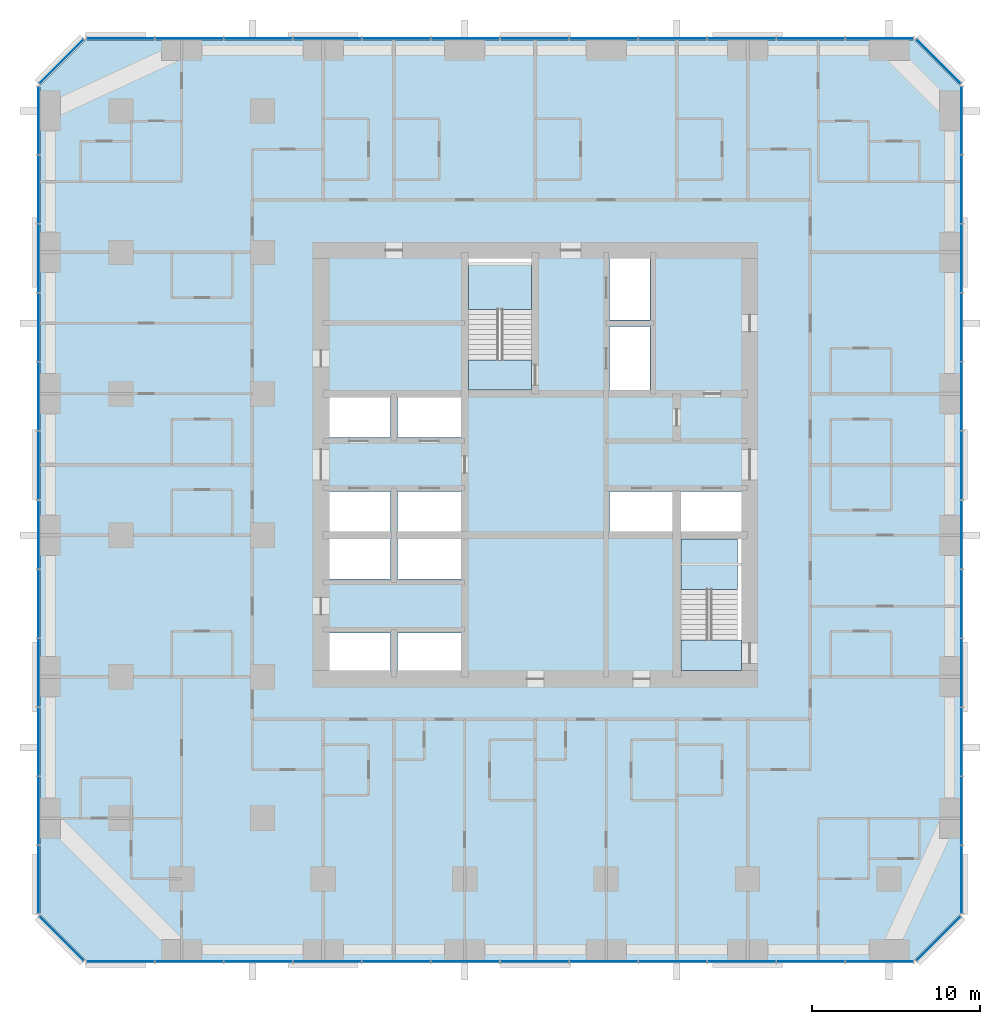
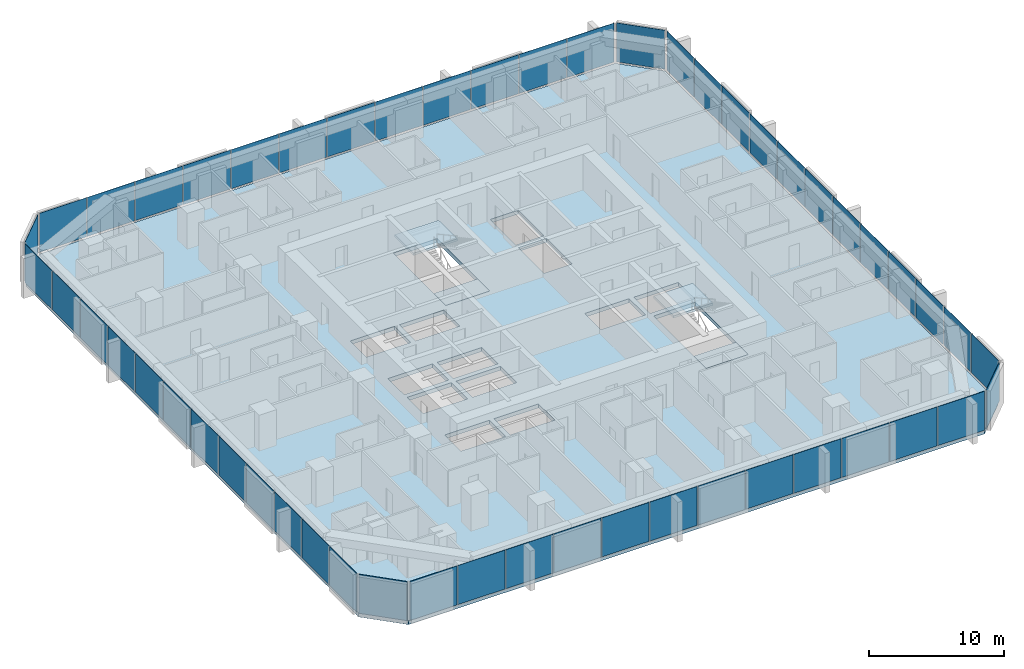
# One storey, part 7 of 14: 52 plates, 5 slabs, 10 elements without a shape of their own.
"""IFC4 building model written with IfcOpenShell, lengths in metres."""

from ifc_helpers import new_model, si_unit, direction, frame, origin, origin_2d, place, context, subcontext, project, spatial, polyline, rectangle, outline, extrude, material, layer, layer_set, type_object, element, aggregate, save


model = new_model("IFC4")

# Units and contexts
model_context = context("Model", 3, precision=1e-05, world=origin(), true_north=direction((0.0, 1.0)))
body_context = subcontext(model_context, "Body", "Model", "MODEL_VIEW")
ifc_project = project(units=[si_unit("LENGTHUNIT", "METRE"), si_unit("AREAUNIT", "SQUARE_METRE"), si_unit("VOLUMEUNIT", "CUBIC_METRE"), si_unit("PLANEANGLEUNIT", "RADIAN"), si_unit("MASSUNIT", "GRAM", prefix="KILO")], contexts=[model_context])

# Site, building, storey
site_placement = place(None, origin())
site = spatial("IfcSite", under=ifc_project, at=site_placement, CompositionType="ELEMENT")
building_placement = place(site_placement, origin())
building = spatial("IfcBuilding", under=site, at=building_placement, Name="Dunama Terrace Hotel", CompositionType="ELEMENT")
storey_placement = place(building_placement, frame((0.0, 0.0, 136.800048828125)))
storey = spatial("IfcBuildingStorey", under=building, at=storey_placement, Name="L35", CompositionType="ELEMENT", Elevation=136.800048828125)

# Curtain wall, plates
ifc_material_1 = material(Name="Aluminium curtain wall system", Category="aluminium")
curtain_wall_type = type_object("IfcCurtainWallType", Name="Unitised fritted glass wall CW-B", PredefinedType="NOTDEFINED", material=ifc_material_1)
curtain_wall_1_placement = place(storey_placement, origin())
curtain_wall_1 = element("IfcCurtainWall", 1, at=curtain_wall_1_placement, inside=storey, type_object=curtain_wall_type, Name="Unitised fritted glass wall CW-B L35", PredefinedType="NOTDEFINED")
ifc_material_2 = material(Name="Laminated glass", Category="glass")
ifc_layer_1 = layer(ifc_material_2, 0.030029296875)
ifc_layer_set_1 = layer_set([ifc_layer_1], Name="CWB clear glass panel")
plate_type_1 = type_object("IfcPlateType", Name="CWB clear glass panel", PredefinedType="CURTAIN_PANEL", material=ifc_layer_set_1)
plate_1_placement = place(storey_placement, frame((8.85009765625, -0.110107421875, 0.079833984375), z_axis=(0.0, 0.0, 1.0), x_axis=(1.0, 0.0, 0.0)))
plate_1 = element("IfcPlate", 2, at=plate_1_placement, type_object=plate_type_1, Name="CWB clear glass panel", PredefinedType="CURTAIN_PANEL", context=body_context, shape_type="SweptSolid", body=[
    extrude(rectangle(XDim=4.034912109375, YDim=0.030029296875, at=origin_2d()), origin(), (0.0, 0.0, 1.0), 3.52001953125),
])
plate_2_placement = place(storey_placement, frame((21.14990234375, -0.110107421875, 0.079833984375), z_axis=(0.0, 0.0, 1.0), x_axis=(1.0, 0.0, 0.0)))
plate_2 = element("IfcPlate", 3, at=plate_2_placement, type_object=plate_type_1, Name="CWB clear glass panel", PredefinedType="CURTAIN_PANEL", context=body_context, shape_type="SweptSolid", body=[
    extrude(rectangle(XDim=4.034912109375, YDim=0.030029296875, at=origin_2d()), origin(), (0.0, 0.0, 1.0), 3.52001953125),
])
plate_3_placement = place(storey_placement, frame((33.449951171875, -0.110107421875, 0.079833984375), z_axis=(0.0, 0.0, 1.0), x_axis=(1.0, 0.0, 0.0)))
plate_3 = element("IfcPlate", 4, at=plate_3_placement, type_object=plate_type_1, Name="CWB clear glass panel", PredefinedType="CURTAIN_PANEL", context=body_context, shape_type="SweptSolid", body=[
    extrude(rectangle(XDim=4.034912109375, YDim=0.030029296875, at=origin_2d()), origin(), (0.0, 0.0, 1.0), 3.52001953125),
])
plate_4_placement = place(storey_placement, frame((45.75, -0.110107421875, 0.079833984375), z_axis=(0.0, 0.0, 1.0), x_axis=(1.0, 0.0, 0.0)))
plate_4 = element("IfcPlate", 5, at=plate_4_placement, type_object=plate_type_1, Name="CWB clear glass panel", PredefinedType="CURTAIN_PANEL", context=body_context, shape_type="SweptSolid", body=[
    extrude(rectangle(XDim=4.034912109375, YDim=0.030029296875, at=origin_2d()), origin(), (0.0, 0.0, 1.0), 3.52001953125),
])

curtain_wall_2_placement = place(storey_placement, origin())
curtain_wall_2 = element("IfcCurtainWall", 6, at=curtain_wall_2_placement, inside=storey, type_object=curtain_wall_type, Name="Unitised fritted glass wall CW-B L35", PredefinedType="NOTDEFINED")
plate_5_placement = place(storey_placement, frame((54.7099609375, 4.76611328125, 0.079833984375), z_axis=(0.0, 0.0, 1.0), x_axis=(0.0, 1.0, 0.0)))
plate_5 = element("IfcPlate", 7, at=plate_5_placement, type_object=plate_type_1, Name="CWB clear glass panel", PredefinedType="CURTAIN_PANEL", context=body_context, shape_type="SweptSolid", body=[
    extrude(rectangle(XDim=4.00244140625, YDim=0.030029296875, at=origin_2d()), origin(), (0.0, 0.0, 1.0), 3.52001953125),
])
plate_6_placement = place(storey_placement, frame((54.7099609375, 17.050048828125, 0.079833984375), z_axis=(0.0, 0.0, 1.0), x_axis=(0.0, 1.0, 0.0)))
plate_6 = element("IfcPlate", 8, at=plate_6_placement, type_object=plate_type_1, Name="CWB clear glass panel", PredefinedType="CURTAIN_PANEL", context=body_context, shape_type="SweptSolid", body=[
    extrude(rectangle(XDim=4.034912109375, YDim=0.030029296875, at=origin_2d()), origin(), (0.0, 0.0, 1.0), 3.52001953125),
])
plate_7_placement = place(storey_placement, frame((54.7099609375, 29.35009765625, 0.079833984375), z_axis=(0.0, 0.0, 1.0), x_axis=(0.0, 1.0, 0.0)))
plate_7 = element("IfcPlate", 9, at=plate_7_placement, type_object=plate_type_1, Name="CWB clear glass panel", PredefinedType="CURTAIN_PANEL", context=body_context, shape_type="SweptSolid", body=[
    extrude(rectangle(XDim=4.034912109375, YDim=0.030029296875, at=origin_2d()), origin(), (0.0, 0.0, 1.0), 3.52001953125),
])
plate_8_placement = place(storey_placement, frame((54.7099609375, 41.64990234375, 0.079833984375), z_axis=(0.0, 0.0, 1.0), x_axis=(0.0, 1.0, 0.0)))
plate_8 = element("IfcPlate", 10, at=plate_8_placement, type_object=plate_type_1, Name="CWB clear glass panel", PredefinedType="CURTAIN_PANEL", context=body_context, shape_type="SweptSolid", body=[
    extrude(rectangle(XDim=4.034912109375, YDim=0.030029296875, at=origin_2d()), origin(), (0.0, 0.0, 1.0), 3.52001953125),
])

# Curtain wall, plate
curtain_wall_3_placement = place(storey_placement, origin())
curtain_wall_3 = element("IfcCurtainWall", 11, at=curtain_wall_3_placement, inside=storey, type_object=curtain_wall_type, Name="Unitised fritted glass wall CW-B L35", PredefinedType="NOTDEFINED")
plate_9_placement = place(storey_placement, frame((53.327880859375, 53.327880859375, 0.079833984375), z_axis=(0.0, 0.0, 1.0), x_axis=(-0.707106781187, 0.707106781187, 0.0)))
plate_9 = element("IfcPlate", 12, at=plate_9_placement, type_object=plate_type_1, Name="CWB clear glass panel", PredefinedType="CURTAIN_PANEL", context=body_context, shape_type="SweptSolid", body=[
    extrude(rectangle(XDim=3.6884765625, YDim=0.030029296875, at=origin_2d()), origin(), (0.0, 0.0, 1.0), 3.52001953125),
])
aggregate(curtain_wall_3, [plate_9])

# Curtain wall, plates
curtain_wall_4_placement = place(storey_placement, origin())
curtain_wall_4 = element("IfcCurtainWall", 13, at=curtain_wall_4_placement, inside=storey, type_object=curtain_wall_type, Name="Unitised fritted glass wall CW-B L35", PredefinedType="NOTDEFINED")
plate_10_placement = place(storey_placement, frame((41.64990234375, 54.7099609375, 0.079833984375), z_axis=(0.0, 0.0, 1.0), x_axis=(-1.0, 0.0, 0.0)))
plate_10 = element("IfcPlate", 14, at=plate_10_placement, type_object=plate_type_1, Name="CWB clear glass panel", PredefinedType="CURTAIN_PANEL", context=body_context, shape_type="SweptSolid", body=[
    extrude(rectangle(XDim=4.034912109375, YDim=0.030029296875, at=origin_2d()), origin(), (0.0, 0.0, 1.0), 3.52001953125),
])
plate_11_placement = place(storey_placement, frame((29.35009765625, 54.7099609375, 0.079833984375), z_axis=(0.0, 0.0, 1.0), x_axis=(-1.0, 0.0, 0.0)))
plate_11 = element("IfcPlate", 15, at=plate_11_placement, type_object=plate_type_1, Name="CWB clear glass panel", PredefinedType="CURTAIN_PANEL", context=body_context, shape_type="SweptSolid", body=[
    extrude(rectangle(XDim=4.034912109375, YDim=0.030029296875, at=origin_2d()), origin(), (0.0, 0.0, 1.0), 3.52001953125),
])
plate_12_placement = place(storey_placement, frame((17.050048828125, 54.7099609375, 0.079833984375), z_axis=(0.0, 0.0, 1.0), x_axis=(-1.0, 0.0, 0.0)))
plate_12 = element("IfcPlate", 16, at=plate_12_placement, type_object=plate_type_1, Name="CWB clear glass panel", PredefinedType="CURTAIN_PANEL", context=body_context, shape_type="SweptSolid", body=[
    extrude(rectangle(XDim=4.034912109375, YDim=0.030029296875, at=origin_2d()), origin(), (0.0, 0.0, 1.0), 3.52001953125),
])
plate_13_placement = place(storey_placement, frame((4.76611328125, 54.7099609375, 0.079833984375), z_axis=(0.0, 0.0, 1.0), x_axis=(-1.0, 0.0, 0.0)))
plate_13 = element("IfcPlate", 17, at=plate_13_placement, type_object=plate_type_1, Name="CWB clear glass panel", PredefinedType="CURTAIN_PANEL", context=body_context, shape_type="SweptSolid", body=[
    extrude(rectangle(XDim=4.00244140625, YDim=0.030029296875, at=origin_2d()), origin(), (0.0, 0.0, 1.0), 3.52001953125),
])

curtain_wall_5_placement = place(storey_placement, origin())
curtain_wall_5 = element("IfcCurtainWall", 18, at=curtain_wall_5_placement, inside=storey, type_object=curtain_wall_type, Name="Unitised fritted glass wall CW-B L35", PredefinedType="NOTDEFINED")
plate_14_placement = place(storey_placement, frame((-0.110107421875, 45.75, 0.079833984375), z_axis=(0.0, 0.0, 1.0), x_axis=(0.0, -1.0, 0.0)))
plate_14 = element("IfcPlate", 19, at=plate_14_placement, type_object=plate_type_1, Name="CWB clear glass panel", PredefinedType="CURTAIN_PANEL", context=body_context, shape_type="SweptSolid", body=[
    extrude(rectangle(XDim=4.034912109375, YDim=0.030029296875, at=origin_2d()), origin(), (0.0, 0.0, 1.0), 3.52001953125),
])
plate_15_placement = place(storey_placement, frame((-0.110107421875, 33.449951171875, 0.079833984375), z_axis=(0.0, 0.0, 1.0), x_axis=(0.0, -1.0, 0.0)))
plate_15 = element("IfcPlate", 20, at=plate_15_placement, type_object=plate_type_1, Name="CWB clear glass panel", PredefinedType="CURTAIN_PANEL", context=body_context, shape_type="SweptSolid", body=[
    extrude(rectangle(XDim=4.034912109375, YDim=0.030029296875, at=origin_2d()), origin(), (0.0, 0.0, 1.0), 3.52001953125),
])
plate_16_placement = place(storey_placement, frame((-0.110107421875, 21.14990234375, 0.079833984375), z_axis=(0.0, 0.0, 1.0), x_axis=(0.0, -1.0, 0.0)))
plate_16 = element("IfcPlate", 21, at=plate_16_placement, type_object=plate_type_1, Name="CWB clear glass panel", PredefinedType="CURTAIN_PANEL", context=body_context, shape_type="SweptSolid", body=[
    extrude(rectangle(XDim=4.034912109375, YDim=0.030029296875, at=origin_2d()), origin(), (0.0, 0.0, 1.0), 3.52001953125),
])
plate_17_placement = place(storey_placement, frame((-0.110107421875, 8.85009765625, 0.079833984375), z_axis=(0.0, 0.0, 1.0), x_axis=(0.0, -1.0, 0.0)))
plate_17 = element("IfcPlate", 22, at=plate_17_placement, type_object=plate_type_1, Name="CWB clear glass panel", PredefinedType="CURTAIN_PANEL", context=body_context, shape_type="SweptSolid", body=[
    extrude(rectangle(XDim=4.034912109375, YDim=0.030029296875, at=origin_2d()), origin(), (0.0, 0.0, 1.0), 3.52001953125),
])

# Plate
ifc_material_3 = material(Name="Fritted laminated glass", Category="glass")
ifc_layer_2 = layer(ifc_material_3, 0.030029296875)
ifc_layer_set_2 = layer_set([ifc_layer_2], Name="CWB fritted glass panel")
plate_type_2 = type_object("IfcPlateType", Name="CWB fritted glass panel", PredefinedType="CURTAIN_PANEL", material=ifc_layer_set_2)
plate_18_placement = place(storey_placement, frame((4.76611328125, -0.110107421875, 0.079833984375), z_axis=(0.0, 0.0, 1.0), x_axis=(1.0, 0.0, 0.0)))
plate_18 = element("IfcPlate", 23, at=plate_18_placement, type_object=plate_type_2, Name="CWB fritted glass panel", PredefinedType="CURTAIN_PANEL", context=body_context, shape_type="SweptSolid", body=[
    extrude(rectangle(XDim=4.00244140625, YDim=0.030029296875, at=origin_2d()), origin(), (0.0, 0.0, 1.0), 3.52001953125),
])

plate_19_placement = place(storey_placement, frame((17.050048828125, -0.110107421875, 0.079833984375), z_axis=(0.0, 0.0, 1.0), x_axis=(1.0, 0.0, 0.0)))
plate_19 = element("IfcPlate", 24, at=plate_19_placement, type_object=plate_type_2, Name="CWB fritted glass panel", PredefinedType="CURTAIN_PANEL", context=body_context, shape_type="SweptSolid", body=[
    extrude(rectangle(XDim=4.034912109375, YDim=0.030029296875, at=origin_2d()), origin(), (0.0, 0.0, 1.0), 3.52001953125),
])

plate_20_placement = place(storey_placement, frame((29.35009765625, -0.110107421875, 0.079833984375), z_axis=(0.0, 0.0, 1.0), x_axis=(1.0, 0.0, 0.0)))
plate_20 = element("IfcPlate", 25, at=plate_20_placement, type_object=plate_type_2, Name="CWB fritted glass panel", PredefinedType="CURTAIN_PANEL", context=body_context, shape_type="SweptSolid", body=[
    extrude(rectangle(XDim=4.034912109375, YDim=0.030029296875, at=origin_2d()), origin(), (0.0, 0.0, 1.0), 3.52001953125),
])

plate_21_placement = place(storey_placement, frame((41.64990234375, -0.110107421875, 0.079833984375), z_axis=(0.0, 0.0, 1.0), x_axis=(1.0, 0.0, 0.0)))
plate_21 = element("IfcPlate", 26, at=plate_21_placement, type_object=plate_type_2, Name="CWB fritted glass panel", PredefinedType="CURTAIN_PANEL", context=body_context, shape_type="SweptSolid", body=[
    extrude(rectangle(XDim=4.034912109375, YDim=0.030029296875, at=origin_2d()), origin(), (0.0, 0.0, 1.0), 3.52001953125),
])

# Curtain wall, plate
curtain_wall_6_placement = place(storey_placement, origin())
curtain_wall_6 = element("IfcCurtainWall", 27, at=curtain_wall_6_placement, inside=storey, type_object=curtain_wall_type, Name="Unitised fritted glass wall CW-B L35", PredefinedType="NOTDEFINED")
plate_22_placement = place(storey_placement, frame((53.327880859375, 1.27197265625, 0.079833984375), z_axis=(0.0, 0.0, 1.0), x_axis=(0.707106781187, 0.707106781187, 0.0)))
plate_22 = element("IfcPlate", 28, at=plate_22_placement, type_object=plate_type_2, Name="CWB fritted glass panel", PredefinedType="CURTAIN_PANEL", context=body_context, shape_type="SweptSolid", body=[
    extrude(rectangle(XDim=3.6884765625, YDim=0.030029296875, at=origin_2d()), origin(), (0.0, 0.0, 1.0), 3.52001953125),
])
aggregate(curtain_wall_6, [plate_22])

# Plate
plate_23_placement = place(storey_placement, frame((54.7099609375, 12.949951171875, 0.079833984375), z_axis=(0.0, 0.0, 1.0), x_axis=(0.0, 1.0, 0.0)))
plate_23 = element("IfcPlate", 29, at=plate_23_placement, type_object=plate_type_2, Name="CWB fritted glass panel", PredefinedType="CURTAIN_PANEL", context=body_context, shape_type="SweptSolid", body=[
    extrude(rectangle(XDim=4.034912109375, YDim=0.030029296875, at=origin_2d()), origin(), (0.0, 0.0, 1.0), 3.52001953125),
])

plate_24_placement = place(storey_placement, frame((54.7099609375, 25.25, 0.079833984375), z_axis=(0.0, 0.0, 1.0), x_axis=(0.0, 1.0, 0.0)))
plate_24 = element("IfcPlate", 30, at=plate_24_placement, type_object=plate_type_2, Name="CWB fritted glass panel", PredefinedType="CURTAIN_PANEL", context=body_context, shape_type="SweptSolid", body=[
    extrude(rectangle(XDim=4.034912109375, YDim=0.030029296875, at=origin_2d()), origin(), (0.0, 0.0, 1.0), 3.52001953125),
])

plate_25_placement = place(storey_placement, frame((54.7099609375, 37.550048828125, 0.079833984375), z_axis=(0.0, 0.0, 1.0), x_axis=(0.0, 1.0, 0.0)))
plate_25 = element("IfcPlate", 31, at=plate_25_placement, type_object=plate_type_2, Name="CWB fritted glass panel", PredefinedType="CURTAIN_PANEL", context=body_context, shape_type="SweptSolid", body=[
    extrude(rectangle(XDim=4.034912109375, YDim=0.030029296875, at=origin_2d()), origin(), (0.0, 0.0, 1.0), 3.52001953125),
])

plate_26_placement = place(storey_placement, frame((54.7099609375, 49.833984375, 0.079833984375), z_axis=(0.0, 0.0, 1.0), x_axis=(0.0, 1.0, 0.0)))
plate_26 = element("IfcPlate", 32, at=plate_26_placement, type_object=plate_type_2, Name="CWB fritted glass panel", PredefinedType="CURTAIN_PANEL", context=body_context, shape_type="SweptSolid", body=[
    extrude(rectangle(XDim=4.00244140625, YDim=0.030029296875, at=origin_2d()), origin(), (0.0, 0.0, 1.0), 3.52001953125),
])

plate_27_placement = place(storey_placement, frame((45.75, 54.7099609375, 0.079833984375), z_axis=(0.0, 0.0, 1.0), x_axis=(-1.0, 0.0, 0.0)))
plate_27 = element("IfcPlate", 33, at=plate_27_placement, type_object=plate_type_2, Name="CWB fritted glass panel", PredefinedType="CURTAIN_PANEL", context=body_context, shape_type="SweptSolid", body=[
    extrude(rectangle(XDim=4.034912109375, YDim=0.030029296875, at=origin_2d()), origin(), (0.0, 0.0, 1.0), 3.52001953125),
])

plate_28_placement = place(storey_placement, frame((33.449951171875, 54.7099609375, 0.079833984375), z_axis=(0.0, 0.0, 1.0), x_axis=(-1.0, 0.0, 0.0)))
plate_28 = element("IfcPlate", 34, at=plate_28_placement, type_object=plate_type_2, Name="CWB fritted glass panel", PredefinedType="CURTAIN_PANEL", context=body_context, shape_type="SweptSolid", body=[
    extrude(rectangle(XDim=4.034912109375, YDim=0.030029296875, at=origin_2d()), origin(), (0.0, 0.0, 1.0), 3.52001953125),
])

plate_29_placement = place(storey_placement, frame((21.14990234375, 54.7099609375, 0.079833984375), z_axis=(0.0, 0.0, 1.0), x_axis=(-1.0, 0.0, 0.0)))
plate_29 = element("IfcPlate", 35, at=plate_29_placement, type_object=plate_type_2, Name="CWB fritted glass panel", PredefinedType="CURTAIN_PANEL", context=body_context, shape_type="SweptSolid", body=[
    extrude(rectangle(XDim=4.034912109375, YDim=0.030029296875, at=origin_2d()), origin(), (0.0, 0.0, 1.0), 3.52001953125),
])

plate_30_placement = place(storey_placement, frame((8.85009765625, 54.7099609375, 0.079833984375), z_axis=(0.0, 0.0, 1.0), x_axis=(-1.0, 0.0, 0.0)))
plate_30 = element("IfcPlate", 36, at=plate_30_placement, type_object=plate_type_2, Name="CWB fritted glass panel", PredefinedType="CURTAIN_PANEL", context=body_context, shape_type="SweptSolid", body=[
    extrude(rectangle(XDim=4.034912109375, YDim=0.030029296875, at=origin_2d()), origin(), (0.0, 0.0, 1.0), 3.52001953125),
])

plate_31_placement = place(storey_placement, frame((-0.110107421875, 49.833984375, 0.079833984375), z_axis=(0.0, 0.0, 1.0), x_axis=(0.0, -1.0, 0.0)))
plate_31 = element("IfcPlate", 37, at=plate_31_placement, type_object=plate_type_2, Name="CWB fritted glass panel", PredefinedType="CURTAIN_PANEL", context=body_context, shape_type="SweptSolid", body=[
    extrude(rectangle(XDim=4.00244140625, YDim=0.030029296875, at=origin_2d()), origin(), (0.0, 0.0, 1.0), 3.52001953125),
])

plate_32_placement = place(storey_placement, frame((-0.110107421875, 37.550048828125, 0.079833984375), z_axis=(0.0, 0.0, 1.0), x_axis=(0.0, -1.0, 0.0)))
plate_32 = element("IfcPlate", 38, at=plate_32_placement, type_object=plate_type_2, Name="CWB fritted glass panel", PredefinedType="CURTAIN_PANEL", context=body_context, shape_type="SweptSolid", body=[
    extrude(rectangle(XDim=4.034912109375, YDim=0.030029296875, at=origin_2d()), origin(), (0.0, 0.0, 1.0), 3.52001953125),
])

plate_33_placement = place(storey_placement, frame((-0.110107421875, 25.25, 0.079833984375), z_axis=(0.0, 0.0, 1.0), x_axis=(0.0, -1.0, 0.0)))
plate_33 = element("IfcPlate", 39, at=plate_33_placement, type_object=plate_type_2, Name="CWB fritted glass panel", PredefinedType="CURTAIN_PANEL", context=body_context, shape_type="SweptSolid", body=[
    extrude(rectangle(XDim=4.034912109375, YDim=0.030029296875, at=origin_2d()), origin(), (0.0, 0.0, 1.0), 3.52001953125),
])

plate_34_placement = place(storey_placement, frame((-0.110107421875, 12.949951171875, 0.079833984375), z_axis=(0.0, 0.0, 1.0), x_axis=(0.0, -1.0, 0.0)))
plate_34 = element("IfcPlate", 40, at=plate_34_placement, type_object=plate_type_2, Name="CWB fritted glass panel", PredefinedType="CURTAIN_PANEL", context=body_context, shape_type="SweptSolid", body=[
    extrude(rectangle(XDim=4.034912109375, YDim=0.030029296875, at=origin_2d()), origin(), (0.0, 0.0, 1.0), 3.52001953125),
])

# Curtain wall, plate
curtain_wall_7_placement = place(storey_placement, origin())
curtain_wall_7 = element("IfcCurtainWall", 41, at=curtain_wall_7_placement, inside=storey, type_object=curtain_wall_type, Name="Unitised fritted glass wall CW-B L35", PredefinedType="NOTDEFINED")
plate_35_placement = place(storey_placement, frame((1.27197265625, 1.27197265625, 0.079833984375), z_axis=(0.0, 0.0, 1.0), x_axis=(0.707106781187, -0.707106781187, 0.0)))
plate_35 = element("IfcPlate", 42, at=plate_35_placement, type_object=plate_type_2, Name="CWB fritted glass panel", PredefinedType="CURTAIN_PANEL", context=body_context, shape_type="SweptSolid", body=[
    extrude(rectangle(XDim=3.6884765625, YDim=0.030029296875, at=origin_2d()), origin(), (0.0, 0.0, 1.0), 3.52001953125),
])
aggregate(curtain_wall_7, [plate_35])

# Plate
ifc_material_4 = material(Name="Laminated glass", Category="glass")
ifc_layer_3 = layer(ifc_material_4, 0.030029296875)
ifc_layer_set_3 = layer_set([ifc_layer_3], Name="CWB operable glass panel")
plate_type_3 = type_object("IfcPlateType", Name="CWB operable glass panel", PredefinedType="CURTAIN_PANEL", material=ifc_layer_set_3)
plate_36_placement = place(storey_placement, frame((12.949951171875, -0.110107421875, 0.079833984375), z_axis=(0.0, 0.0, 1.0), x_axis=(1.0, 0.0, 0.0)))
plate_36 = element("IfcPlate", 43, at=plate_36_placement, type_object=plate_type_3, Name="CWB operable glass panel", PredefinedType="CURTAIN_PANEL", context=body_context, shape_type="SweptSolid", body=[
    extrude(rectangle(XDim=4.034912109375, YDim=0.030029296875, at=origin_2d()), origin(), (0.0, 0.0, 1.0), 3.52001953125),
])

plate_37_placement = place(storey_placement, frame((25.25, -0.110107421875, 0.079833984375), z_axis=(0.0, 0.0, 1.0), x_axis=(1.0, 0.0, 0.0)))
plate_37 = element("IfcPlate", 44, at=plate_37_placement, type_object=plate_type_3, Name="CWB operable glass panel", PredefinedType="CURTAIN_PANEL", context=body_context, shape_type="SweptSolid", body=[
    extrude(rectangle(XDim=4.034912109375, YDim=0.030029296875, at=origin_2d()), origin(), (0.0, 0.0, 1.0), 3.52001953125),
])

plate_38_placement = place(storey_placement, frame((37.550048828125, -0.110107421875, 0.079833984375), z_axis=(0.0, 0.0, 1.0), x_axis=(1.0, 0.0, 0.0)))
plate_38 = element("IfcPlate", 45, at=plate_38_placement, type_object=plate_type_3, Name="CWB operable glass panel", PredefinedType="CURTAIN_PANEL", context=body_context, shape_type="SweptSolid", body=[
    extrude(rectangle(XDim=4.034912109375, YDim=0.030029296875, at=origin_2d()), origin(), (0.0, 0.0, 1.0), 3.52001953125),
])

plate_39_placement = place(storey_placement, frame((49.833984375, -0.110107421875, 0.079833984375), z_axis=(0.0, 0.0, 1.0), x_axis=(1.0, 0.0, 0.0)))
plate_39 = element("IfcPlate", 46, at=plate_39_placement, type_object=plate_type_3, Name="CWB operable glass panel", PredefinedType="CURTAIN_PANEL", context=body_context, shape_type="SweptSolid", body=[
    extrude(rectangle(XDim=4.00244140625, YDim=0.030029296875, at=origin_2d()), origin(), (0.0, 0.0, 1.0), 3.52001953125),
])

aggregate(curtain_wall_1, [plate_18, plate_1, plate_36, plate_19, plate_2, plate_37, plate_20, plate_3, plate_38, plate_21, plate_4, plate_39])

plate_40_placement = place(storey_placement, frame((54.7099609375, 8.85009765625, 0.079833984375), z_axis=(0.0, 0.0, 1.0), x_axis=(0.0, 1.0, 0.0)))
plate_40 = element("IfcPlate", 47, at=plate_40_placement, type_object=plate_type_3, Name="CWB operable glass panel", PredefinedType="CURTAIN_PANEL", context=body_context, shape_type="SweptSolid", body=[
    extrude(rectangle(XDim=4.034912109375, YDim=0.030029296875, at=origin_2d()), origin(), (0.0, 0.0, 1.0), 3.52001953125),
])

plate_41_placement = place(storey_placement, frame((54.7099609375, 21.14990234375, 0.079833984375), z_axis=(0.0, 0.0, 1.0), x_axis=(0.0, 1.0, 0.0)))
plate_41 = element("IfcPlate", 48, at=plate_41_placement, type_object=plate_type_3, Name="CWB operable glass panel", PredefinedType="CURTAIN_PANEL", context=body_context, shape_type="SweptSolid", body=[
    extrude(rectangle(XDim=4.034912109375, YDim=0.030029296875, at=origin_2d()), origin(), (0.0, 0.0, 1.0), 3.52001953125),
])

plate_42_placement = place(storey_placement, frame((54.7099609375, 33.449951171875, 0.079833984375), z_axis=(0.0, 0.0, 1.0), x_axis=(0.0, 1.0, 0.0)))
plate_42 = element("IfcPlate", 49, at=plate_42_placement, type_object=plate_type_3, Name="CWB operable glass panel", PredefinedType="CURTAIN_PANEL", context=body_context, shape_type="SweptSolid", body=[
    extrude(rectangle(XDim=4.034912109375, YDim=0.030029296875, at=origin_2d()), origin(), (0.0, 0.0, 1.0), 3.52001953125),
])

plate_43_placement = place(storey_placement, frame((54.7099609375, 45.75, 0.079833984375), z_axis=(0.0, 0.0, 1.0), x_axis=(0.0, 1.0, 0.0)))
plate_43 = element("IfcPlate", 50, at=plate_43_placement, type_object=plate_type_3, Name="CWB operable glass panel", PredefinedType="CURTAIN_PANEL", context=body_context, shape_type="SweptSolid", body=[
    extrude(rectangle(XDim=4.034912109375, YDim=0.030029296875, at=origin_2d()), origin(), (0.0, 0.0, 1.0), 3.52001953125),
])

aggregate(curtain_wall_2, [plate_5, plate_40, plate_23, plate_6, plate_41, plate_24, plate_7, plate_42, plate_25, plate_8, plate_43, plate_26])

plate_44_placement = place(storey_placement, frame((49.833984375, 54.7099609375, 0.079833984375), z_axis=(0.0, 0.0, 1.0), x_axis=(-1.0, 0.0, 0.0)))
plate_44 = element("IfcPlate", 51, at=plate_44_placement, type_object=plate_type_3, Name="CWB operable glass panel", PredefinedType="CURTAIN_PANEL", context=body_context, shape_type="SweptSolid", body=[
    extrude(rectangle(XDim=4.00244140625, YDim=0.030029296875, at=origin_2d()), origin(), (0.0, 0.0, 1.0), 3.52001953125),
])

plate_45_placement = place(storey_placement, frame((37.550048828125, 54.7099609375, 0.079833984375), z_axis=(0.0, 0.0, 1.0), x_axis=(-1.0, 0.0, 0.0)))
plate_45 = element("IfcPlate", 52, at=plate_45_placement, type_object=plate_type_3, Name="CWB operable glass panel", PredefinedType="CURTAIN_PANEL", context=body_context, shape_type="SweptSolid", body=[
    extrude(rectangle(XDim=4.034912109375, YDim=0.030029296875, at=origin_2d()), origin(), (0.0, 0.0, 1.0), 3.52001953125),
])

plate_46_placement = place(storey_placement, frame((25.25, 54.7099609375, 0.079833984375), z_axis=(0.0, 0.0, 1.0), x_axis=(-1.0, 0.0, 0.0)))
plate_46 = element("IfcPlate", 53, at=plate_46_placement, type_object=plate_type_3, Name="CWB operable glass panel", PredefinedType="CURTAIN_PANEL", context=body_context, shape_type="SweptSolid", body=[
    extrude(rectangle(XDim=4.034912109375, YDim=0.030029296875, at=origin_2d()), origin(), (0.0, 0.0, 1.0), 3.52001953125),
])

plate_47_placement = place(storey_placement, frame((12.949951171875, 54.7099609375, 0.079833984375), z_axis=(0.0, 0.0, 1.0), x_axis=(-1.0, 0.0, 0.0)))
plate_47 = element("IfcPlate", 54, at=plate_47_placement, type_object=plate_type_3, Name="CWB operable glass panel", PredefinedType="CURTAIN_PANEL", context=body_context, shape_type="SweptSolid", body=[
    extrude(rectangle(XDim=4.034912109375, YDim=0.030029296875, at=origin_2d()), origin(), (0.0, 0.0, 1.0), 3.52001953125),
])

aggregate(curtain_wall_4, [plate_44, plate_27, plate_10, plate_45, plate_28, plate_11, plate_46, plate_29, plate_12, plate_47, plate_30, plate_13])

# Curtain wall, plate
curtain_wall_8_placement = place(storey_placement, origin())
curtain_wall_8 = element("IfcCurtainWall", 55, at=curtain_wall_8_placement, inside=storey, type_object=curtain_wall_type, Name="Unitised fritted glass wall CW-B L35", PredefinedType="NOTDEFINED")
plate_48_placement = place(storey_placement, frame((1.27197265625, 53.327880859375, 0.079833984375), z_axis=(0.0, 0.0, 1.0), x_axis=(-0.707106781187, -0.707106781187, 0.0)))
plate_48 = element("IfcPlate", 56, at=plate_48_placement, type_object=plate_type_3, Name="CWB operable glass panel", PredefinedType="CURTAIN_PANEL", context=body_context, shape_type="SweptSolid", body=[
    extrude(rectangle(XDim=3.6884765625, YDim=0.030029296875, at=origin_2d()), origin(), (0.0, 0.0, 1.0), 3.52001953125),
])
aggregate(curtain_wall_8, [plate_48])

# Plate
plate_49_placement = place(storey_placement, frame((-0.110107421875, 41.64990234375, 0.079833984375), z_axis=(0.0, 0.0, 1.0), x_axis=(0.0, -1.0, 0.0)))
plate_49 = element("IfcPlate", 57, at=plate_49_placement, type_object=plate_type_3, Name="CWB operable glass panel", PredefinedType="CURTAIN_PANEL", context=body_context, shape_type="SweptSolid", body=[
    extrude(rectangle(XDim=4.034912109375, YDim=0.030029296875, at=origin_2d()), origin(), (0.0, 0.0, 1.0), 3.52001953125),
])

plate_50_placement = place(storey_placement, frame((-0.110107421875, 29.35009765625, 0.079833984375), z_axis=(0.0, 0.0, 1.0), x_axis=(0.0, -1.0, 0.0)))
plate_50 = element("IfcPlate", 58, at=plate_50_placement, type_object=plate_type_3, Name="CWB operable glass panel", PredefinedType="CURTAIN_PANEL", context=body_context, shape_type="SweptSolid", body=[
    extrude(rectangle(XDim=4.034912109375, YDim=0.030029296875, at=origin_2d()), origin(), (0.0, 0.0, 1.0), 3.52001953125),
])

plate_51_placement = place(storey_placement, frame((-0.110107421875, 17.050048828125, 0.079833984375), z_axis=(0.0, 0.0, 1.0), x_axis=(0.0, -1.0, 0.0)))
plate_51 = element("IfcPlate", 59, at=plate_51_placement, type_object=plate_type_3, Name="CWB operable glass panel", PredefinedType="CURTAIN_PANEL", context=body_context, shape_type="SweptSolid", body=[
    extrude(rectangle(XDim=4.034912109375, YDim=0.030029296875, at=origin_2d()), origin(), (0.0, 0.0, 1.0), 3.52001953125),
])

plate_52_placement = place(storey_placement, frame((-0.110107421875, 4.76611328125, 0.079833984375), z_axis=(0.0, 0.0, 1.0), x_axis=(0.0, -1.0, 0.0)))
plate_52 = element("IfcPlate", 60, at=plate_52_placement, type_object=plate_type_3, Name="CWB operable glass panel", PredefinedType="CURTAIN_PANEL", context=body_context, shape_type="SweptSolid", body=[
    extrude(rectangle(XDim=4.00244140625, YDim=0.030029296875, at=origin_2d()), origin(), (0.0, 0.0, 1.0), 3.52001953125),
])

aggregate(curtain_wall_5, [plate_31, plate_14, plate_49, plate_32, plate_15, plate_50, plate_33, plate_16, plate_51, plate_34, plate_17, plate_52])

# Slab
ifc_material_5 = material(Name="Concrete C40/50", Category="concrete")
ifc_layer_4 = layer(ifc_material_5, 0.35009765625)
ifc_layer_set_4 = layer_set([ifc_layer_4], Name="Flat plate 350")
slab_type_1 = type_object("IfcSlabType", Name="Flat plate 350", PredefinedType="FLOOR", material=ifc_layer_set_4)
slab_1_placement = place(storey_placement, frame((0.0, 0.0, -0.35009765625)))
element("IfcSlab", 61, at=slab_1_placement, inside=storey, type_object=slab_type_1, Name="Floor slab L35", PredefinedType="FLOOR", context=body_context, shape_type="SweptSolid", body=[
    extrude(outline(polyline([(2.699951171875, 0.0), (51.89990234375, 0.0), (54.60009765625, 2.699951171875), (54.60009765625, 51.89990234375), (51.89990234375, 54.60009765625), (2.699951171875, 54.60009765625), (0.0, 51.89990234375), (0.0, 2.699951171875), (2.699951171875, 0.0)]), holes=[polyline([(37.60009765625, 25.39990234375), (37.60009765625, 27.800048828125), (33.800048828125, 27.800048828125), (33.800048828125, 25.39990234375), (37.60009765625, 25.39990234375)]), polyline([(41.800048828125, 25.39990234375), (41.800048828125, 27.800048828125), (38.0, 27.800048828125), (38.0, 25.39990234375), (41.800048828125, 25.39990234375)]), polyline([(20.800048828125, 17.0), (20.800048828125, 19.39990234375), (17.0, 19.39990234375), (17.0, 17.0), (20.800048828125, 17.0)]), polyline([(25.0, 17.0), (25.0, 19.39990234375), (21.199951171875, 19.39990234375), (21.199951171875, 17.0), (25.0, 17.0)]), polyline([(20.800048828125, 22.60009765625), (20.800048828125, 25.0), (17.0, 25.0), (17.0, 22.60009765625), (20.800048828125, 22.60009765625)]), polyline([(25.0, 22.60009765625), (25.0, 25.0), (21.199951171875, 25.0), (21.199951171875, 22.60009765625), (25.0, 22.60009765625)]), polyline([(20.800048828125, 25.39990234375), (20.800048828125, 27.800048828125), (17.0, 27.800048828125), (17.0, 25.39990234375), (20.800048828125, 25.39990234375)]), polyline([(25.0, 25.39990234375), (25.0, 27.800048828125), (21.199951171875, 27.800048828125), (21.199951171875, 25.39990234375), (25.0, 25.39990234375)]), polyline([(20.800048828125, 31.0), (20.800048828125, 33.39990234375), (17.0, 33.39990234375), (17.0, 31.0), (20.800048828125, 31.0)]), polyline([(25.0, 31.0), (25.0, 33.39990234375), (21.199951171875, 33.39990234375), (21.199951171875, 31.0), (25.0, 31.0)]), polyline([(36.199951171875, 38.0), (36.199951171875, 41.800048828125), (33.800048828125, 41.800048828125), (33.800048828125, 38.0), (36.199951171875, 38.0)]), polyline([(36.199951171875, 33.800048828125), (36.199951171875, 37.60009765625), (33.800048828125, 37.60009765625), (33.800048828125, 33.800048828125), (36.199951171875, 33.800048828125)]), polyline([(29.175048828125, 33.824951171875), (29.175048828125, 41.625), (25.425048828125, 41.625), (25.425048828125, 33.824951171875), (29.175048828125, 33.824951171875)]), polyline([(41.625, 17.175048828125), (41.625, 24.97509765625), (38.050048828125, 24.97509765625), (38.050048828125, 17.175048828125), (41.625, 17.175048828125)])]), origin(), (0.0, 0.0, 1.0), 0.35009765625),
])

# Stair, slabs
ifc_material_6 = material(Name="Concrete C40/50", Category="concrete")
stair_type_1 = type_object("IfcStairType", Name="Stair ST1-3600-1800", PredefinedType="HALF_TURN_STAIR", material=ifc_material_6)
stair_1_placement = place(storey_placement, origin())
stair_1 = element("IfcStair", 62, at=stair_1_placement, inside=storey, type_object=stair_type_1, Name="Stair ST1 L35", PredefinedType="HALF_TURN_STAIR")
ifc_material_7 = material(Name="Concrete C40/50", Category="concrete")
ifc_layer_5 = layer(ifc_material_7, 0.199951171875)
ifc_layer_set_5 = layer_set([ifc_layer_5], Name="Stair landing 200")
slab_type_2 = type_object("IfcSlabType", Name="Stair landing 200", PredefinedType="LANDING", material=ifc_layer_set_5)
slab_2_placement = place(storey_placement, frame((0.0, 0.0, -0.199951171875)))
slab_2 = element("IfcSlab", 63, at=slab_2_placement, type_object=slab_type_2, Name="ST1 landing 1, type S10", PredefinedType="LANDING", context=body_context, shape_type="SweptSolid", body=[
    extrude(outline(polyline([(25.425048828125, 33.824951171875), (29.175048828125, 33.824951171875), (29.175048828125, 35.625), (25.425048828125, 35.625), (25.425048828125, 33.824951171875)])), origin(), (0.0, 0.0, 1.0), 0.199951171875),
])
slab_3_placement = place(storey_placement, frame((0.0, 0.0, 1.599853515625)))
slab_3 = element("IfcSlab", 64, at=slab_3_placement, type_object=slab_type_2, Name="ST1 landing 2, type S10", PredefinedType="LANDING", context=body_context, shape_type="SweptSolid", body=[
    extrude(outline(polyline([(25.425048828125, 38.625), (29.175048828125, 38.625), (29.175048828125, 41.39990234375), (25.425048828125, 41.39990234375), (25.425048828125, 38.625)])), origin(), (0.0, 0.0, 1.0), 0.2001953125),
])
aggregate(stair_1, [slab_2, slab_3])

ifc_material_8 = material(Name="Concrete C40/50", Category="concrete")
stair_type_2 = type_object("IfcStairType", Name="Stair ST2-3600-1600", PredefinedType="HALF_TURN_STAIR", material=ifc_material_8)
stair_2_placement = place(storey_placement, origin())
stair_2 = element("IfcStair", 65, at=stair_2_placement, inside=storey, type_object=stair_type_2, Name="Stair ST2 L35", PredefinedType="HALF_TURN_STAIR")
slab_4_placement = place(storey_placement, frame((0.0, 0.0, -0.199951171875)))
slab_4 = element("IfcSlab", 66, at=slab_4_placement, type_object=slab_type_2, Name="ST2 landing 1, type S10", PredefinedType="LANDING", context=body_context, shape_type="SweptSolid", body=[
    extrude(outline(polyline([(38.050048828125, 17.175048828125), (41.625, 17.175048828125), (41.625, 19.0), (38.050048828125, 19.0), (38.050048828125, 17.175048828125)])), origin(), (0.0, 0.0, 1.0), 0.199951171875),
])
slab_5_placement = place(storey_placement, frame((0.0, 0.0, 1.599853515625)))
slab_5 = element("IfcSlab", 67, at=slab_5_placement, type_object=slab_type_2, Name="ST2 landing 2, type S10", PredefinedType="LANDING", context=body_context, shape_type="SweptSolid", body=[
    extrude(outline(polyline([(38.050048828125, 22.0), (41.39990234375, 22.0), (41.39990234375, 24.97509765625), (38.050048828125, 24.97509765625), (38.050048828125, 22.0)])), origin(), (0.0, 0.0, 1.0), 0.2001953125),
])
aggregate(stair_2, [slab_4, slab_5])

save(model, "model.ifc")
